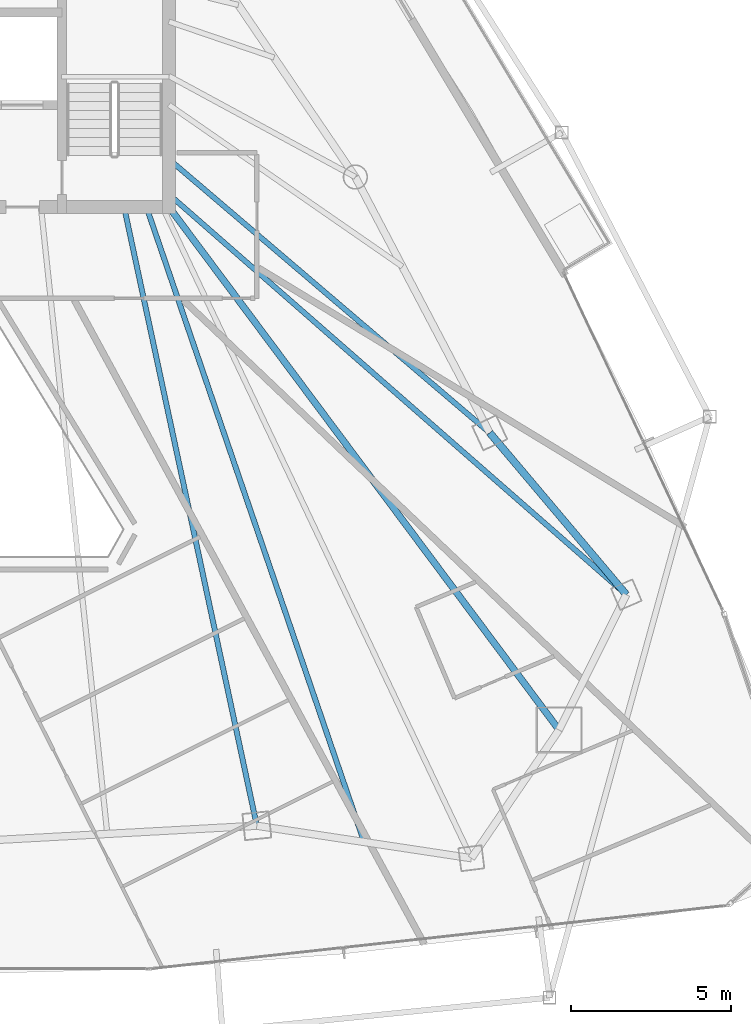
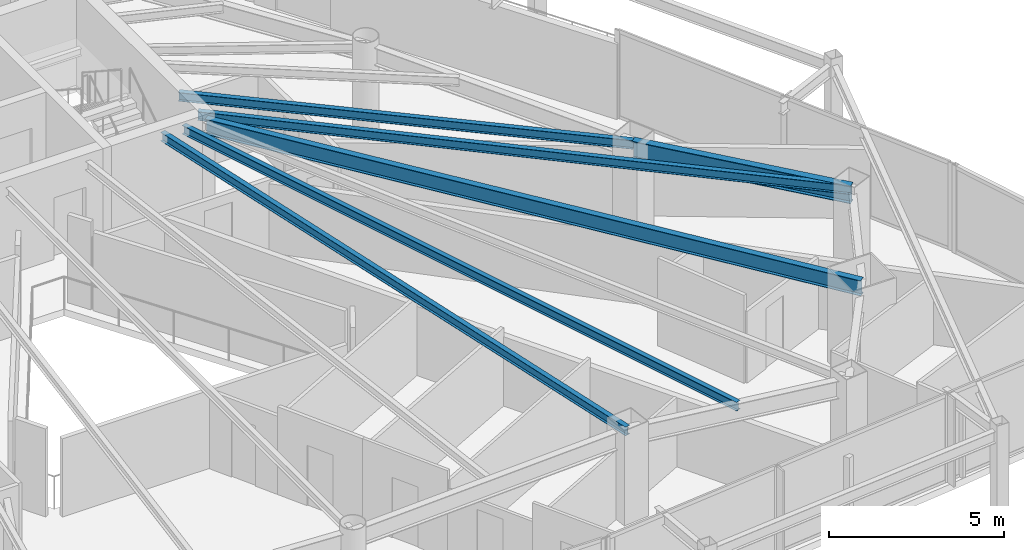
# One storey, part 14 of 31: 6 beams.
"""IFC4 building model written with IfcOpenShell, lengths in metres."""

from ifc_helpers import new_model, si_unit, direction, frame, origin, origin_2d, place, context, subcontext, project, spatial, i_section, extrude, material, material_profile, profile_set, type_object, element, save


model = new_model("IFC4")

# Units and contexts
model_context = context("Model", 3, precision=1e-05, world=origin(), true_north=direction((0.0, 1.0)))
body_context = subcontext(model_context, "Body", "Model", "MODEL_VIEW")
ifc_project = project(units=[si_unit("LENGTHUNIT", "METRE"), si_unit("AREAUNIT", "SQUARE_METRE"), si_unit("VOLUMEUNIT", "CUBIC_METRE"), si_unit("PLANEANGLEUNIT", "RADIAN"), si_unit("MASSUNIT", "GRAM", prefix="KILO")], contexts=[model_context])

# Site, building, storey
site_placement = place(None, origin())
site = spatial("IfcSite", under=ifc_project, at=site_placement, CompositionType="ELEMENT")
building_placement = place(site_placement, origin())
building = spatial("IfcBuilding", under=site, at=building_placement, Name="Orvanel Arch Residences", CompositionType="ELEMENT")
storey_placement = place(building_placement, frame((0.0, 0.0, 110.0)))
storey = spatial("IfcBuildingStorey", under=building, at=storey_placement, Name="L30", CompositionType="ELEMENT", Elevation=110.0)

# Beams
ifc_material = material(Name="Structural steel AS/NZS 3679.1 Grade 300 (300 MPa)", Category="steel")
ifc_material_profile_1 = material_profile(ifc_material, i_section(OverallWidth=0.208984375, OverallDepth=0.532958984375, WebThickness=0.01025390625, FlangeThickness=0.015625, at=origin_2d()), Name="530UB92.4")
ifc_profile_set_1 = profile_set([ifc_material_profile_1], Name="Structural steel AS/NZS 3679.1 Grade 300 (300 MPa)")
beam_type_1 = type_object("IfcBeamType", Name="BG-530UB", PredefinedType="BEAM", material=ifc_profile_set_1)
beam_1_placement = place(storey_placement, frame((39.625, 26.675048828125, 2.7939453125), z_axis=(0.597893733742, -0.801575375839, 0.0), x_axis=(0.801575375839, 0.597893733742, 0.0)))
element("IfcBeam", 1, at=beam_1_placement, inside=storey, type_object=beam_type_1, Name="L30 South-East Radial Girder", PredefinedType="BEAM", context=body_context, shape_type="SweptSolid", body=[
    extrude(i_section(OverallWidth=0.208984375, OverallDepth=0.532958984375, WebThickness=0.01025390625, FlangeThickness=0.015625, at=origin_2d()), origin(), (0.0, 0.0, 1.0), 20.36474609375),
])
ifc_material_profile_2 = material_profile(ifc_material, i_section(OverallWidth=0.1650390625, OverallDepth=0.303955078125, WebThickness=0.006103515625, FlangeThickness=0.01025390625, at=origin_2d()), Name="310UB40.4")
ifc_profile_set_2 = profile_set([ifc_material_profile_2], Name="Structural steel AS/NZS 3679.1 Grade 300 (300 MPa)")
beam_type_2 = type_object("IfcBeamType", Name="BJ-310UB", PredefinedType="JOIST", material=ifc_profile_set_2)
beam_2_placement = place(storey_placement, frame((39.60009765625, 28.199951171875, 2.907958984375), z_axis=(0.760821315761, -0.648961420644, 0.0), x_axis=(0.648961420644, 0.760821315761, 0.0)))
element("IfcBeam", 2, at=beam_2_placement, inside=storey, type_object=beam_type_2, Name="L30 E Wing Floor Joist", PredefinedType="JOIST", context=body_context, shape_type="SweptSolid", body=[
    extrude(i_section(OverallWidth=0.1650390625, OverallDepth=0.303955078125, WebThickness=0.006103515625, FlangeThickness=0.01025390625, at=origin_2d()), origin(), (0.0, 0.0, 1.0), 13.18701171875),
])
beam_3_placement = place(storey_placement, frame((38.199951171875, 26.699951171875, 2.907958984375), z_axis=(0.209808012425, -0.977742603103, 0.0), x_axis=(0.977742603103, 0.209808012425, 0.0)))
element("IfcBeam", 3, at=beam_3_placement, inside=storey, type_object=beam_type_2, Name="L30 SE Wing Floor Joist", PredefinedType="JOIST", context=body_context, shape_type="SweptSolid", body=[
    extrude(i_section(OverallWidth=0.1650390625, OverallDepth=0.303955078125, WebThickness=0.006103515625, FlangeThickness=0.01025390625, at=origin_2d()), origin(), (0.0, 0.0, 1.0), 19.785400390625),
])
beam_4_placement = place(storey_placement, frame((39.60009765625, 27.10009765625, 2.907958984375), z_axis=(0.752493154183, -0.658600070534, 0.0), x_axis=(0.658600070534, 0.752493154183, 0.0)))
element("IfcBeam", 4, at=beam_4_placement, inside=storey, type_object=beam_type_2, Name="L30 ME Wing Floor Joist", PredefinedType="JOIST", context=body_context, shape_type="SweptSolid", body=[
    extrude(i_section(OverallWidth=0.1650390625, OverallDepth=0.303955078125, WebThickness=0.006103515625, FlangeThickness=0.01025390625, at=origin_2d()), origin(), (0.0, 0.0, 1.0), 19.010009765625),
])
beam_5_placement = place(storey_placement, frame((38.89990234375, 26.699951171875, 2.907958984375), z_axis=(0.324257108963, -0.945968988544, 0.0), x_axis=(0.945968988544, 0.324257108963, 0.0)))
element("IfcBeam", 5, at=beam_5_placement, inside=storey, type_object=beam_type_2, Name="L30 JADD2 Wing Floor Joist", PredefinedType="JOIST", context=body_context, shape_type="SweptSolid", body=[
    extrude(i_section(OverallWidth=0.1650390625, OverallDepth=0.303955078125, WebThickness=0.006103515625, FlangeThickness=0.01025390625, at=origin_2d()), origin(), (0.0, 0.0, 1.0), 20.987060546875),
])
ifc_material_profile_3 = material_profile(ifc_material, i_section(OverallWidth=0.22900390625, OverallDepth=0.612060546875, WebThickness=0.011962890625, FlangeThickness=0.01953125, at=origin_2d()), Name="610UB125")
ifc_profile_set_3 = profile_set([ifc_material_profile_3], Name="Structural steel AS/NZS 3679.1 Grade 300 (300 MPa)")
beam_type_3 = type_object("IfcBeamType", Name="SP-610UB", PredefinedType="SPANDREL", material=ifc_profile_set_3)
beam_6_placement = place(storey_placement, frame((53.905029296875, 14.580078125, 2.75390625), z_axis=(-0.644950329775, 0.764224490659, 0.0), x_axis=(-0.764224490659, -0.644950329775, 0.0)))
element("IfcBeam", 6, at=beam_6_placement, inside=storey, type_object=beam_type_3, Name="L30 Perimeter Spandrel Beam 10", PredefinedType="SPANDREL", context=body_context, shape_type="SweptSolid", body=[
    extrude(i_section(OverallWidth=0.22900390625, OverallDepth=0.612060546875, WebThickness=0.011962890625, FlangeThickness=0.01953125, at=origin_2d()), origin(), (0.0, 0.0, 1.0), 6.623779296875),
])

save(model, "model.ifc")
